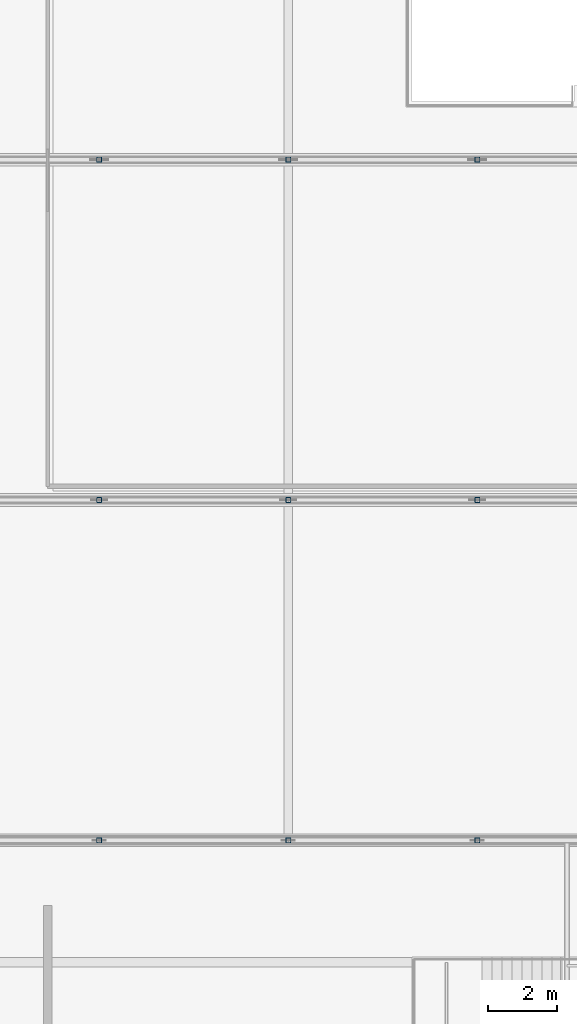
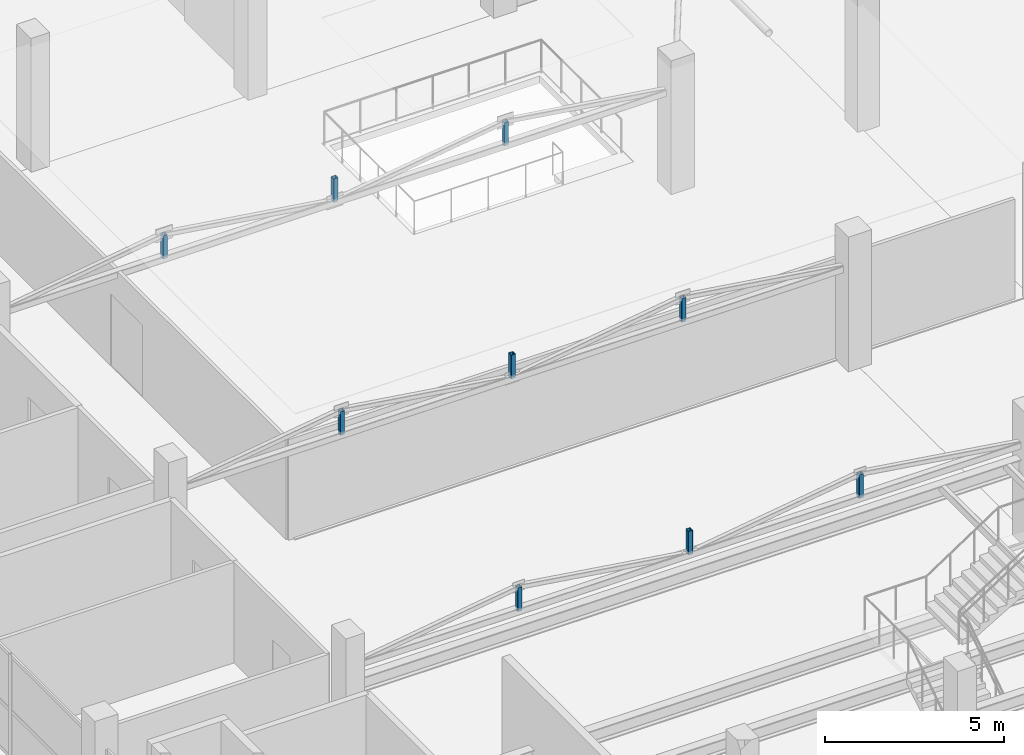
# One storey, part 37 of 55: 9 members.
"""IFC4 building model written with IfcOpenShell, lengths in metres."""

from ifc_helpers import new_model, si_unit, direction, frame, origin, origin_2d, place, context, subcontext, project, spatial, hollow_rectangle, extrude, material, material_profile, profile_set, type_object, element, save


model = new_model("IFC4")

# Units and contexts
model_context = context("Model", 3, precision=1e-05, world=origin(), true_north=direction((0.0, 1.0)))
body_context = subcontext(model_context, "Body", "Model", "MODEL_VIEW")
ifc_project = project(units=[si_unit("LENGTHUNIT", "METRE"), si_unit("AREAUNIT", "SQUARE_METRE"), si_unit("VOLUMEUNIT", "CUBIC_METRE"), si_unit("PLANEANGLEUNIT", "RADIAN"), si_unit("MASSUNIT", "GRAM", prefix="KILO")], contexts=[model_context])

# Site, building, storey
site_placement = place(None, origin())
site = spatial("IfcSite", under=ifc_project, at=site_placement, CompositionType="ELEMENT")
building_placement = place(site_placement, origin())
building = spatial("IfcBuilding", under=site, at=building_placement, Name="Sillaruma Civic Art Gallery", CompositionType="ELEMENT")
storey_placement = place(building_placement, frame((0.0, 0.0, 37.739990234375)))
storey = spatial("IfcBuildingStorey", under=building, at=storey_placement, Name="L07", CompositionType="ELEMENT", Elevation=37.739990234375)

# Members
ifc_material = material(Name="Structural Steel ASTM A500 Gr.C", Category="steel")
ifc_material_profile = material_profile(ifc_material, hollow_rectangle(XDim=0.14990234375, YDim=0.14990234375, WallThickness=0.010009765625, InnerFilletRadius=0.010009765625, OuterFilletRadius=0.02001953125, at=origin_2d()), Name="HSS150x150x10")
ifc_profile_set = profile_set([ifc_material_profile], Name="Structural Steel ASTM A500 Gr.C")
member_type = type_object("IfcMemberType", Name="MEM-POST-HSS150x150x10", PredefinedType="POST", material=ifc_profile_set)
for number, where, z_axis, x_axis, name in (
    (1, (75.5, 49.5, 3.320068359375), (0.0, 0.0, 1.0), (1.0, 0.0, 0.0), "Warren Truss Vertical Post TR-L07-1-V1"),
    (2, (81.0, 49.5, 3.320068359375), (0.0, 0.0, 1.0), (1.0, 0.0, 0.0), "Warren Truss Vertical Post TR-L07-1-V2"),
    (3, (86.5, 49.5, 3.320068359375), (0.0, 0.0, 1.0), (1.0, 0.0, 0.0), "Warren Truss Vertical Post TR-L07-1-V3"),
    (4, (75.5, 59.39990234375, 3.320068359375), (0.0, 0.0, 1.0), (1.0, 0.0, 0.0), "Warren Truss Vertical Post TR-L07-2-V1"),
    (5, (81.0, 59.39990234375, 3.320068359375), (0.0, 0.0, 1.0), (1.0, 0.0, 0.0), "Warren Truss Vertical Post TR-L07-2-V2"),
    (6, (86.5, 59.39990234375, 3.320068359375), (0.0, 0.0, 1.0), (1.0, 0.0, 0.0), "Warren Truss Vertical Post TR-L07-2-V3"),
    (7, (75.5, 69.300048828125, 3.320068359375), (0.0, 0.0, 1.0), (1.0, 0.0, 0.0), "Warren Truss Vertical Post TR-L07-3-V1"),
    (8, (81.0, 69.300048828125, 3.320068359375), (0.0, 0.0, 1.0), (1.0, 0.0, 0.0), "Warren Truss Vertical Post TR-L07-3-V2"),
    (9, (86.5, 69.300048828125, 3.320068359375), (0.0, 0.0, 1.0), (1.0, 0.0, 0.0), "Warren Truss Vertical Post TR-L07-3-V3"),
):
    element("IfcMember", number, at=place(storey_placement, frame(where, z_axis=z_axis, x_axis=x_axis)), inside=storey, type_object=member_type, Name=name, PredefinedType="POST", context=body_context, shape_type="SweptSolid", body=[
        extrude(hollow_rectangle(XDim=0.14990234375, YDim=0.14990234375, WallThickness=0.010009765625, InnerFilletRadius=0.010009765625, OuterFilletRadius=0.02001953125, at=origin_2d()), origin(), (0.0, 0.0, 1.0), 0.807861328125),
    ])

save(model, "model.ifc")
